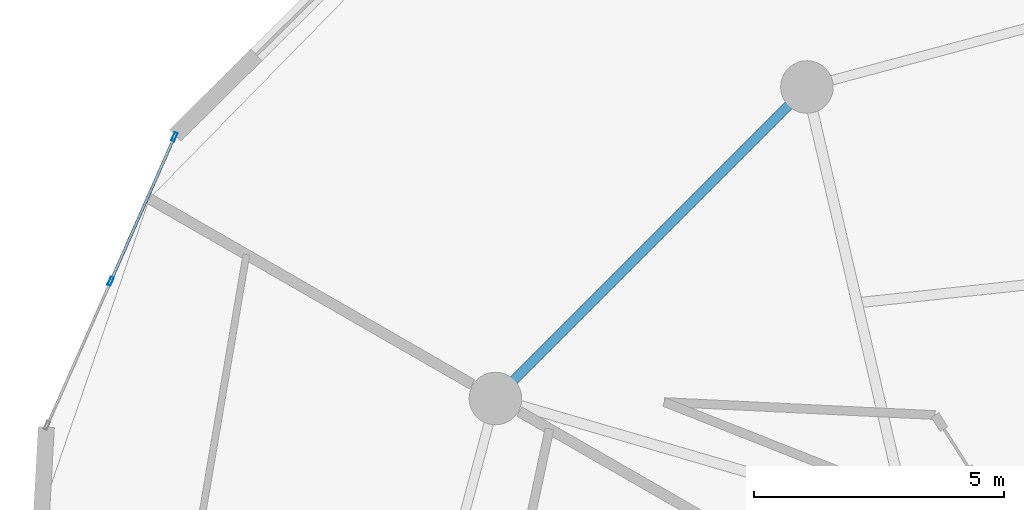
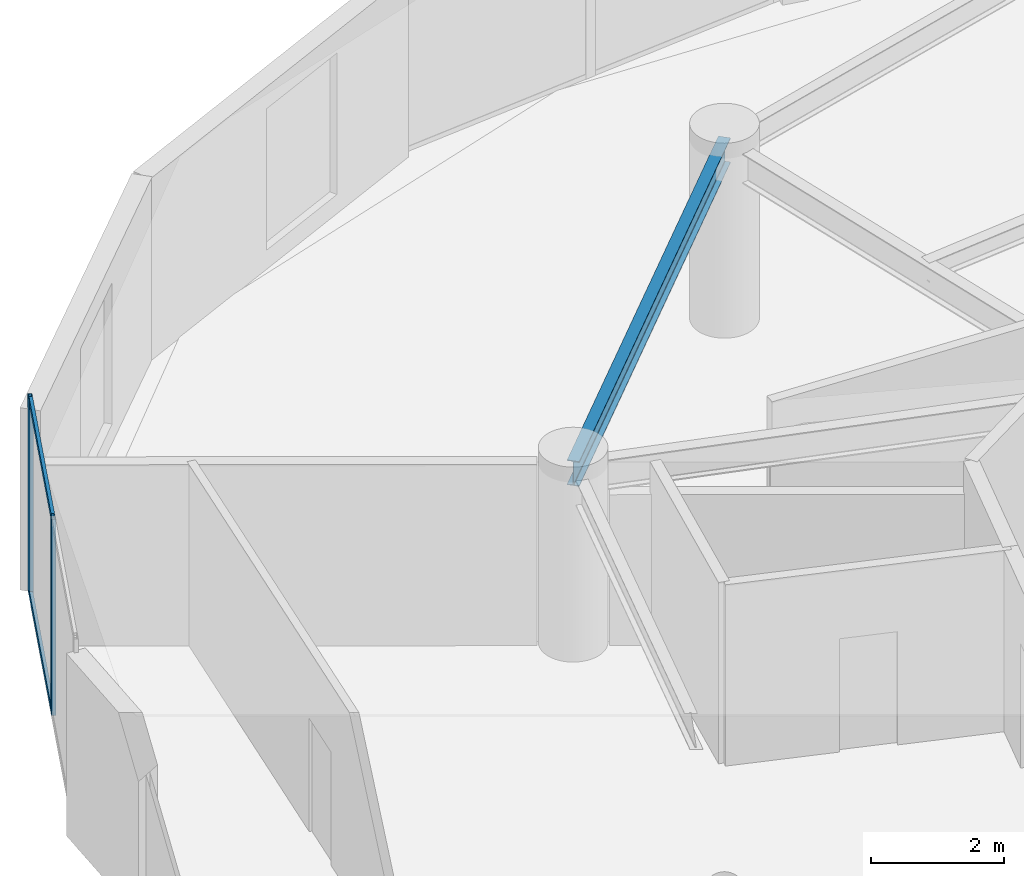
# One storey, part 15 of 25: 4 members, 1 beam, 1 element without a shape of its own.
"""IFC4 building model written with IfcOpenShell, lengths in metres."""

from ifc_helpers import new_model, si_unit, direction, frame, origin, origin_2d, place, context, subcontext, project, spatial, hollow_rectangle, i_section, extrude, source, transform, mapped, material, layer, layer_set, material_profile, profile_set, type_object, element, aggregate, save


model = new_model("IFC4")

# Units and contexts
model_context = context("Model", 3, precision=1e-05, world=origin(), true_north=direction((0.0, 1.0)))
body_context = subcontext(model_context, "Body", "Model", "MODEL_VIEW")
ifc_project = project(units=[si_unit("LENGTHUNIT", "METRE"), si_unit("AREAUNIT", "SQUARE_METRE"), si_unit("VOLUMEUNIT", "CUBIC_METRE"), si_unit("PLANEANGLEUNIT", "RADIAN"), si_unit("MASSUNIT", "GRAM", prefix="KILO")], contexts=[model_context])

# Site, building, storey
site_placement = place(None, origin())
site = spatial("IfcSite", under=ifc_project, at=site_placement, CompositionType="ELEMENT")
building_placement = place(site_placement, origin())
building = spatial("IfcBuilding", under=site, at=building_placement, Name="Solvirekh Grand Hotel", CompositionType="ELEMENT")
storey_placement = place(building_placement, frame((0.0, 0.0, 117.0)))
storey = spatial("IfcBuildingStorey", under=building, at=storey_placement, Name="L29", CompositionType="ELEMENT", Elevation=117.0)

# Beam
ifc_material_1 = material(Name="Steel S355", Category="steel")
ifc_material_profile_1 = material_profile(ifc_material_1, i_section(OverallWidth=0.18994140625, OverallDepth=0.45703125, WebThickness=0.009033203125, FlangeThickness=0.013916015625, FilletRadius=0.012939453125, at=origin_2d()), Name="W460X74")
ifc_profile_set_1 = profile_set([ifc_material_profile_1], Name="Steel S355")
beam_type = type_object("IfcBeamType", Name="Spandrel_Ring_W460", PredefinedType="SPANDREL", material=ifc_profile_set_1)
beam_placement = place(storey_placement, frame((-8.5, 14.721923828125, 3.12109375), z_axis=(-0.707106781187, -0.707106781187, 0.0), x_axis=(0.707106781187, -0.707106781187, 0.0)))
element("IfcBeam", 1, at=beam_placement, inside=storey, type_object=beam_type, Name="L29 perimeter spandrel beam 5", PredefinedType="SPANDREL", context=body_context, shape_type="SweptSolid", body=[
    extrude(i_section(OverallWidth=0.18994140625, OverallDepth=0.45703125, WebThickness=0.009033203125, FlangeThickness=0.013916015625, FilletRadius=0.012939453125, at=origin_2d()), origin(), (0.0, 0.0, 1.0), 8.799072265625),
])

# Curtain wall, members
ifc_material_2 = material(Name="Anodized Bronze Aluminium 6063-T6", Category="aluminium")
ifc_layer = layer(ifc_material_2, 0.175048828125)
ifc_layer_set = layer_set([ifc_layer], Name="Anodized Bronze Aluminium 6063-T6")
curtain_wall_type = type_object("IfcCurtainWallType", Name="CW_Sys3_MidZoneFlushBronzeCW", PredefinedType="NOTDEFINED", material=ifc_layer_set)
curtain_wall_placement = place(storey_placement, origin())
curtain_wall = element("IfcCurtainWall", 2, at=curtain_wall_placement, inside=storey, type_object=curtain_wall_type, Name="L29 unitised bronze-glass curtain wall CW-L29-C11", PredefinedType="NOTDEFINED")
ifc_material_profile_2 = material_profile(ifc_material_2, hollow_rectangle(XDim=0.06494140625, YDim=0.175048828125, WallThickness=0.0048828125, at=origin_2d()), Name="ALU RHS 175X65X5")
ifc_profile_set_2 = profile_set([ifc_material_profile_2], Name="Anodized Bronze Aluminium 6063-T6")
member_type_1 = type_object("IfcMemberType", Name="CWMullion_Sys3", PredefinedType="MULLION", material=ifc_profile_set_2)
shared_shape_1 = source(origin(), body_context, "Body", "SweptSolid", [
    extrude(hollow_rectangle(XDim=0.06494140625, YDim=0.175048828125, WallThickness=0.0048828125, at=origin_2d()), origin(), (0.0, 0.0, 1.0), 3.60009765625),
])
member_1_placement = place(storey_placement, frame((-21.134033203125, 13.726318359375, 0.0), z_axis=(0.0, 0.0, 1.0), x_axis=(0.914818852712, -0.403864416262, 0.0)))
member_1 = element("IfcMember", 3, at=member_1_placement, type_object=member_type_1, Name="U03 mullion 1", PredefinedType="MULLION", context=body_context, shape_type="MappedRepresentation", body=[
    mapped(shared_shape_1, transform((0.0, 0.0, 0.0), x_axis=(1.0, 0.0, 0.0), y_axis=(0.0, 1.0, 0.0), z_axis=(0.0, 0.0, 1.0), scale=1.0)),
])
member_2_placement = place(storey_placement, frame((-22.406982421875, 10.843017578125, 0.0), z_axis=(0.0, 0.0, 1.0), x_axis=(0.914818852712, -0.403864416262, 0.0)))
member_2 = element("IfcMember", 4, at=member_2_placement, type_object=member_type_1, Name="U03 mullion 2", PredefinedType="MULLION", context=body_context, shape_type="MappedRepresentation", body=[
    mapped(shared_shape_1, transform((0.0, 0.0, 0.0), x_axis=(1.0, 0.0, 0.0), y_axis=(0.0, 1.0, 0.0), z_axis=(0.0, 0.0, 1.0), scale=1.0)),
])
ifc_material_profile_3 = material_profile(ifc_material_2, hollow_rectangle(XDim=0.054931640625, YDim=0.1201171875, WallThickness=0.00390625, at=origin_2d()), Name="ALU RHS 120X55X4")
ifc_profile_set_3 = profile_set([ifc_material_profile_3], Name="Anodized Bronze Aluminium 6063-T6")
member_type_2 = type_object("IfcMemberType", Name="CWTransom_Sys3", PredefinedType="USERDEFINED", material=ifc_profile_set_3)
shared_shape_2 = source(origin(), body_context, "Body", "SweptSolid", [
    extrude(hollow_rectangle(XDim=0.054931640625, YDim=0.1201171875, WallThickness=0.00390625, at=origin_2d()), origin(), (0.0, 0.0, 1.0), 3.086669921875),
])
member_3_placement = place(storey_placement, frame((-21.147216796875, 13.696533203125, 0.027587890625), z_axis=(-0.403862189327, -0.914819835832, 0.0), x_axis=(0.914819835832, -0.403862189327, 0.0)))
member_3 = element("IfcMember", 5, at=member_3_placement, type_object=member_type_2, Name="U03 transom 1.1", ObjectType="TRANSOM", PredefinedType="USERDEFINED", context=body_context, shape_type="MappedRepresentation", body=[
    mapped(shared_shape_2, transform((0.0, 0.0, 0.0), x_axis=(1.0, 0.0, 0.0), y_axis=(0.0, 1.0, 0.0), z_axis=(0.0, 0.0, 1.0), scale=1.0)),
])
member_4_placement = place(storey_placement, frame((-21.147216796875, 13.696533203125, 3.572509765625), z_axis=(-0.403862189327, -0.914819835832, 0.0), x_axis=(0.914819835832, -0.403862189327, 0.0)))
member_4 = element("IfcMember", 6, at=member_4_placement, type_object=member_type_2, Name="U03 transom 1.2", ObjectType="TRANSOM", PredefinedType="USERDEFINED", context=body_context, shape_type="MappedRepresentation", body=[
    mapped(shared_shape_2, transform((0.0, 0.0, 0.0), x_axis=(1.0, 0.0, 0.0), y_axis=(0.0, 1.0, 0.0), z_axis=(0.0, 0.0, 1.0), scale=1.0)),
])
aggregate(curtain_wall, [member_1, member_2, member_3, member_4])

save(model, "model.ifc")
